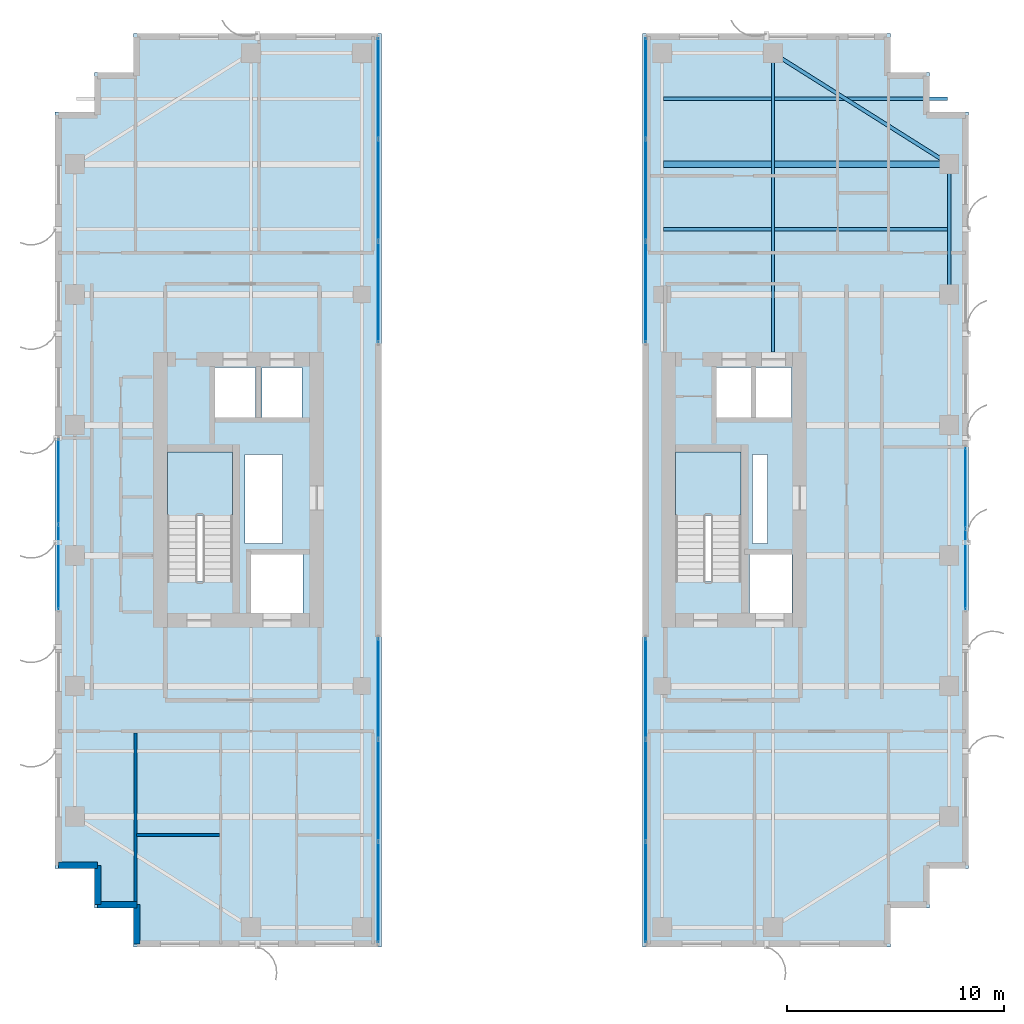
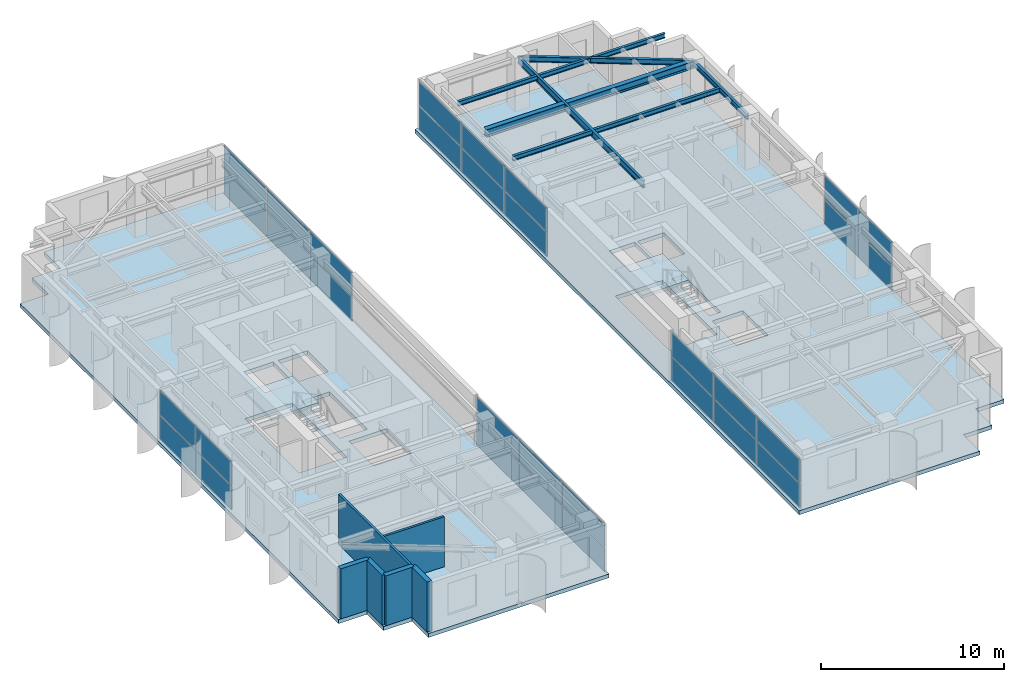
# One storey, part 15 of 22: 32 plates, 6 beams, 6 walls, 4 slabs, 8 elements without a shape of their own.
"""IFC4 building model written with IfcOpenShell, lengths in metres."""

from ifc_helpers import new_model, si_unit, direction, frame, frame_2d, origin, origin_2d, place, context, subcontext, project, spatial, polyline, rectangle, i_section, outline, extrude, source, transform, mapped, material, layer, layer_set, material_profile, profile_set, type_object, element, aggregate, save


model = new_model("IFC4")

# Units and contexts
model_context = context("Model", 3, precision=1e-05, world=origin(), true_north=direction((0.0, 1.0)))
body_context = subcontext(model_context, "Body", "Model", "MODEL_VIEW")
ifc_project = project(units=[si_unit("LENGTHUNIT", "METRE"), si_unit("AREAUNIT", "SQUARE_METRE"), si_unit("VOLUMEUNIT", "CUBIC_METRE"), si_unit("PLANEANGLEUNIT", "RADIAN"), si_unit("MASSUNIT", "GRAM", prefix="KILO")], contexts=[model_context])

# Site, building, storey
site_placement = place(None, origin())
site = spatial("IfcSite", under=ifc_project, at=site_placement, CompositionType="ELEMENT")
building_placement = place(site_placement, origin())
building = spatial("IfcBuilding", under=site, at=building_placement, Name="Khoralis Quay Care Tower", CompositionType="ELEMENT")
storey_placement = place(building_placement, frame((0.0, 0.0, 209.699951171875)))
storey = spatial("IfcBuildingStorey", under=building, at=storey_placement, Name="L55", CompositionType="ELEMENT", Elevation=209.699951171875)

# Beams
ifc_material_1 = material(Name="Steel S355", Category="steel")
ifc_material_profile_1 = material_profile(ifc_material_1, i_section(OverallWidth=0.169921875, OverallDepth=0.360107421875, WebThickness=0.008056640625, FlangeThickness=0.0126953125, FilletRadius=0.01806640625, at=origin_2d()), Name="Steel S355")
ifc_profile_set_1 = profile_set([ifc_material_profile_1], Name="Steel S355")
beam_type_1 = type_object("IfcBeamType", Name="BM-IPE360", PredefinedType="SPANDREL", material=ifc_profile_set_1)
shared_shape_1 = source(origin(), body_context, "Body", "SweptSolid", [
    extrude(i_section(OverallWidth=0.169921875, OverallDepth=0.360107421875, WebThickness=0.008056640625, FlangeThickness=0.0126953125, FilletRadius=0.01806640625, at=origin_2d()), origin(), (0.0, 0.0, 1.0), 6.0),
])
beam_1_placement = place(storey_placement, frame((44.10009765625, 30.0, 3.16015625), z_axis=(0.0, 1.0, 0.0), x_axis=(-1.0, 0.0, 0.0)))
element("IfcBeam", 1, at=beam_1_placement, inside=storey, type_object=beam_type_1, Name="BM-TSP-L55-14", PredefinedType="SPANDREL", context=body_context, shape_type="MappedRepresentation", body=[
    mapped(shared_shape_1, transform((0.0, 0.0, 0.0), scale=1.0)),
])
shared_shape_2 = source(origin(), body_context, "Body", "SweptSolid", [
    extrude(i_section(OverallWidth=0.169921875, OverallDepth=0.360107421875, WebThickness=0.008056640625, FlangeThickness=0.0126953125, FilletRadius=0.01806640625, at=origin_2d()), origin(), (0.0, 0.0, 1.0), 9.572021484375),
])
beam_2_placement = place(storey_placement, frame((36.0, 41.10009765625, 3.16015625), z_axis=(0.846231136359, -0.532815975602, 0.0), x_axis=(0.532815975602, 0.846231136359, 0.0)))
element("IfcBeam", 2, at=beam_2_placement, inside=storey, type_object=beam_type_1, Name="BM-TCR-L55-18", PredefinedType="SPANDREL", context=body_context, shape_type="MappedRepresentation", body=[
    mapped(shared_shape_2, transform((0.0, 0.0, 0.0), scale=1.0)),
])
ifc_material_profile_2 = material_profile(ifc_material_1, i_section(OverallWidth=0.300048828125, OverallDepth=0.5, WebThickness=0.014404296875, FlangeThickness=0.028076171875, FilletRadius=0.027099609375, at=origin_2d()), Name="Steel S355")
ifc_profile_set_2 = profile_set([ifc_material_profile_2], Name="Steel S355")
beam_type_2 = type_object("IfcBeamType", Name="BM-HEB500", PredefinedType="BEAM", material=ifc_profile_set_2)
shared_shape_3 = source(origin(), body_context, "Body", "SweptSolid", [
    extrude(i_section(OverallWidth=0.300048828125, OverallDepth=0.5, WebThickness=0.014404296875, FlangeThickness=0.028076171875, FilletRadius=0.027099609375, at=origin_2d()), origin(), (0.0, 0.0, 1.0), 13.135009765625),
])
beam_3_placement = place(storey_placement, frame((30.965087890625, 36.0, 3.090087890625), z_axis=(1.0, 0.0, 0.0), x_axis=(0.0, 1.0, 0.0)))
element("IfcBeam", 3, at=beam_3_placement, inside=storey, type_object=beam_type_2, Name="BM-TGXE-L55-360", PredefinedType="BEAM", context=body_context, shape_type="MappedRepresentation", body=[
    mapped(shared_shape_3, transform((0.0, 0.0, 0.0), scale=1.0)),
])
ifc_material_profile_3 = material_profile(ifc_material_1, i_section(OverallWidth=0.154052734375, OverallDepth=0.458984375, WebThickness=0.009033203125, FlangeThickness=0.015380859375, FilletRadius=0.014892578125, at=origin_2d()), Name="Steel S355")
ifc_profile_set_3 = profile_set([ifc_material_profile_3], Name="Steel S355")
beam_type_3 = type_object("IfcBeamType", Name="BM-W460X68", PredefinedType="BEAM", material=ifc_profile_set_3)
shared_shape_4 = source(origin(), body_context, "Body", "SweptSolid", [
    extrude(i_section(OverallWidth=0.154052734375, OverallDepth=0.458984375, WebThickness=0.009033203125, FlangeThickness=0.015380859375, FilletRadius=0.014892578125, at=origin_2d()), origin(), (0.0, 0.0, 1.0), 13.752197265625),
])
beam_4_placement = place(storey_placement, frame((36.0, 27.347900390625, 3.110595703125), z_axis=(0.0, 1.0, 0.0), x_axis=(-1.0, 0.0, 0.0)))
element("IfcBeam", 4, at=beam_4_placement, inside=storey, type_object=beam_type_3, Name="BM-TGYN-L55-360", PredefinedType="BEAM", context=body_context, shape_type="MappedRepresentation", body=[
    mapped(shared_shape_4, transform((0.0, 0.0, 0.0), scale=1.0)),
])
ifc_material_profile_4 = material_profile(ifc_material_1, i_section(OverallWidth=0.1650390625, OverallDepth=0.31005859375, WebThickness=0.005859375, FlangeThickness=0.009765625, FilletRadius=0.011962890625, at=origin_2d()), Name="Steel S355")
ifc_profile_set_4 = profile_set([ifc_material_profile_4], Name="Steel S355")
beam_type_4 = type_object("IfcBeamType", Name="BM-W310X39", PredefinedType="JOIST", material=ifc_profile_set_4)
shared_shape_5 = source(origin(), body_context, "Body", "SweptSolid", [
    extrude(i_section(OverallWidth=0.1650390625, OverallDepth=0.31005859375, WebThickness=0.005859375, FlangeThickness=0.009765625, FilletRadius=0.011962890625, at=origin_2d()), origin(), (0.0, 0.0, 1.0), 13.06396484375),
])
for number, where, z_axis, x_axis, name in (
    (5, (30.965087890625, 33.0, 3.18505859375), (1.0, 0.0, 0.0), (0.0, 1.0, 0.0), "BM-TJS-L55-22"),
    (6, (30.965087890625, 39.0, 3.18505859375), (1.0, 0.0, 0.0), (0.0, 1.0, 0.0), "BM-TJS-L55-24"),
):
    element("IfcBeam", number, at=place(storey_placement, frame(where, z_axis=z_axis, x_axis=x_axis)), inside=storey, type_object=beam_type_4, Name=name, PredefinedType="JOIST", context=body_context, shape_type="MappedRepresentation", body=[
        mapped(shared_shape_5, transform((0.0, 0.0, 0.0), scale=1.0)),
    ])

# Stair, slab
ifc_material_2 = material(Name="Precast concrete C45/55", Category="concrete")
stair_type = type_object("IfcStairType", Name="ST-TWR-DOGLEG-1400", PredefinedType="HALF_TURN_STAIR", material=ifc_material_2)
stair_1_placement = place(storey_placement, origin())
stair_1 = element("IfcStair", 7, at=stair_1_placement, inside=storey, type_object=stair_type, Name="L55 West Core Exit Stair ST-T1", PredefinedType="HALF_TURN_STAIR")
ifc_layer_1 = layer(ifc_material_2, 0.199951171875)
ifc_layer_set_1 = layer_set([ifc_layer_1], Name="Precast concrete C45/55")
slab_type_1 = type_object("IfcSlabType", Name="SLB-LANDING-200", PredefinedType="LANDING", material=ifc_layer_set_1)
slab_1_placement = place(storey_placement, frame((0.0, 0.0, 1.60009765625)))
slab_1 = element("IfcSlab", 8, at=slab_1_placement, type_object=slab_type_1, Name="ST-T1 landing 1", PredefinedType="LANDING", context=body_context, shape_type="SweptSolid", body=[
    extrude(outline(polyline([(11.14990234375, 19.840087890625), (11.14990234375, 22.75), (8.14990234375, 22.75), (8.14990234375, 19.840087890625), (11.14990234375, 19.840087890625)])), origin(), (0.0, 0.0, 1.0), 0.199951171875),
])
aggregate(stair_1, [slab_1])

stair_2_placement = place(storey_placement, origin())
stair_2 = element("IfcStair", 9, at=stair_2_placement, inside=storey, type_object=stair_type, Name="L55 East Core Exit Stair ST-T2", PredefinedType="HALF_TURN_STAIR")
slab_2_placement = place(storey_placement, frame((0.0, 0.0, 1.60009765625)))
slab_2 = element("IfcSlab", 10, at=slab_2_placement, type_object=slab_type_1, Name="ST-T2 landing 1", PredefinedType="LANDING", context=body_context, shape_type="SweptSolid", body=[
    extrude(outline(polyline([(34.52001953125, 19.840087890625), (34.52001953125, 22.75), (31.52001953125, 22.75), (31.52001953125, 19.840087890625), (34.52001953125, 19.840087890625)])), origin(), (0.0, 0.0, 1.0), 0.199951171875),
])
aggregate(stair_2, [slab_2])

# Slabs
ifc_material_3 = material(Name="Concrete C40/50", Category="concrete")
ifc_layer_2 = layer(ifc_material_3, 0.260009765625)
ifc_layer_set_2 = layer_set([ifc_layer_2], Name="Concrete C40/50")
slab_type_2 = type_object("IfcSlabType", Name="SLB-TWR-260", PredefinedType="FLOOR", material=ifc_layer_set_2)
slab_3_placement = place(storey_placement, frame((0.0, 0.0, -0.260009765625)))
element("IfcSlab", 11, at=slab_3_placement, inside=storey, type_object=slab_type_2, Name="Tower Wing 1 Slab L55", PredefinedType="FLOOR", context=body_context, shape_type="SweptSolid", body=[
    extrude(outline(polyline([(6.60009765625, 0.0), (18.0, 0.0), (18.0, 42.0), (6.60009765625, 42.0), (6.60009765625, 40.199951171875), (4.800048828125, 40.199951171875), (4.800048828125, 38.39990234375), (3.0, 38.39990234375), (3.0, 3.60009765625), (4.800048828125, 3.60009765625), (4.800048828125, 1.800048828125), (6.60009765625, 1.800048828125), (6.60009765625, 0.0)]), holes=[polyline([(11.14990234375, 16.800048828125), (11.14990234375, 22.75), (8.14990234375, 22.75), (8.14990234375, 16.800048828125), (11.14990234375, 16.800048828125)]), polyline([(12.0, 15.35009765625), (14.39990234375, 15.35009765625), (14.39990234375, 18.050048828125), (12.0, 18.050048828125), (12.0, 15.35009765625)]), polyline([(10.35009765625, 24.35009765625), (12.199951171875, 24.35009765625), (12.199951171875, 26.64990234375), (10.35009765625, 26.64990234375), (10.35009765625, 24.35009765625)]), polyline([(12.5, 24.35009765625), (14.35009765625, 24.35009765625), (14.35009765625, 26.64990234375), (12.5, 26.64990234375), (12.5, 24.35009765625)]), polyline([(11.719970703125, 18.550048828125), (13.449951171875, 18.550048828125), (13.449951171875, 22.64990234375), (11.719970703125, 22.64990234375), (11.719970703125, 18.550048828125)])]), origin(), (0.0, 0.0, 1.0), 0.260009765625),
])
slab_4_placement = place(storey_placement, frame((0.0, 0.0, -0.260009765625)))
element("IfcSlab", 12, at=slab_4_placement, inside=storey, type_object=slab_type_2, Name="Tower Wing 2 Slab L55", PredefinedType="FLOOR", context=body_context, shape_type="SweptSolid", body=[
    extrude(outline(polyline([(30.0, 0.0), (41.39990234375, 0.0), (41.39990234375, 1.800048828125), (43.199951171875, 1.800048828125), (43.199951171875, 3.60009765625), (45.0, 3.60009765625), (45.0, 38.39990234375), (43.199951171875, 38.39990234375), (43.199951171875, 40.199951171875), (41.39990234375, 40.199951171875), (41.39990234375, 42.0), (30.0, 42.0), (30.0, 0.0)]), holes=[polyline([(34.52001953125, 16.800048828125), (34.52001953125, 22.75), (31.52001953125, 22.75), (31.52001953125, 16.800048828125), (34.52001953125, 16.800048828125)]), polyline([(34.919921875, 15.35009765625), (36.8798828125, 15.35009765625), (36.8798828125, 18.050048828125), (34.919921875, 18.050048828125), (34.919921875, 15.35009765625)]), polyline([(33.3798828125, 24.35009765625), (35.030029296875, 24.35009765625), (35.030029296875, 26.64990234375), (33.3798828125, 26.64990234375), (33.3798828125, 24.35009765625)]), polyline([(35.199951171875, 24.35009765625), (36.85009765625, 24.35009765625), (36.85009765625, 26.64990234375), (35.199951171875, 26.64990234375), (35.199951171875, 24.35009765625)]), polyline([(35.050048828125, 18.550048828125), (35.75, 18.550048828125), (35.75, 22.64990234375), (35.050048828125, 22.64990234375), (35.050048828125, 18.550048828125)])]), origin(), (0.0, 0.0, 1.0), 0.260009765625),
])

# Curtain wall, plates
ifc_material_4 = material(Name="Pale anodised aluminium", Category="aluminium")
ifc_layer_3 = layer(ifc_material_4, 0.18994140625)
ifc_layer_set_3 = layer_set([ifc_layer_3], Name="Pale anodised aluminium")
curtain_wall_type_1 = type_object("IfcCurtainWallType", Name="CW-SYS-PORTAL", PredefinedType="NOTDEFINED", material=ifc_layer_set_3)
curtain_wall_1_placement = place(storey_placement, origin())
curtain_wall_1 = element("IfcCurtainWall", 13, at=curtain_wall_1_placement, inside=storey, type_object=curtain_wall_type_1, Name="L55 Unitised Curtain Wall CW-VP-L55-P1-S", PredefinedType="NOTDEFINED")
ifc_material_5 = material(Name="Low-E solar-control double glazing", Category="glass")
ifc_layer_4 = layer(ifc_material_5, 0.031982421875)
ifc_layer_set_4 = layer_set([ifc_layer_4], Name="Low-E solar-control double glazing")
plate_type = type_object("IfcPlateType", Name="PNL-VIS-32", PredefinedType="CURTAIN_PANEL", material=ifc_layer_set_4)
shared_shape_6 = source(origin(), body_context, "Body", "SweptSolid", [
    extrude(rectangle(XDim=4.610107421875, YDim=0.028076171875, at=origin_2d()), origin(), (0.0, 0.0, 1.0), 1.580078125),
])
plate_1_placement = place(storey_placement, frame((17.85009765625, 2.514892578125, 0.06005859375), z_axis=(0.0, 0.0, 1.0), x_axis=(0.0, 1.0, 0.0)))
plate_1 = element("IfcPlate", 14, at=plate_1_placement, type_object=plate_type, Name="CW4 panel 1.1", PredefinedType="CURTAIN_PANEL", context=body_context, shape_type="MappedRepresentation", body=[
    mapped(shared_shape_6, transform((0.0, 0.0, 0.0), scale=1.0)),
])
plate_2_placement = place(storey_placement, frame((17.85009765625, 2.514892578125, 1.699951171875), z_axis=(0.0, 0.0, 1.0), x_axis=(0.0, 1.0, 0.0)))
plate_2 = element("IfcPlate", 15, at=plate_2_placement, type_object=plate_type, Name="CW4 panel 1.2", PredefinedType="CURTAIN_PANEL", context=body_context, shape_type="MappedRepresentation", body=[
    mapped(shared_shape_6, transform((0.0, 0.0, 0.0), scale=1.0)),
])
plate_3_placement = place(storey_placement, frame((17.85009765625, 11.885009765625, 0.06005859375), z_axis=(0.0, 0.0, 1.0), x_axis=(0.0, 1.0, 0.0)))
plate_3 = element("IfcPlate", 16, at=plate_3_placement, type_object=plate_type, Name="CW4 panel 3.1", PredefinedType="CURTAIN_PANEL", context=body_context, shape_type="MappedRepresentation", body=[
    mapped(shared_shape_6, transform((0.0, 0.0, 0.0), scale=1.0)),
])
plate_4_placement = place(storey_placement, frame((17.85009765625, 11.885009765625, 1.699951171875), z_axis=(0.0, 0.0, 1.0), x_axis=(0.0, 1.0, 0.0)))
plate_4 = element("IfcPlate", 17, at=plate_4_placement, type_object=plate_type, Name="CW4 panel 3.2", PredefinedType="CURTAIN_PANEL", context=body_context, shape_type="MappedRepresentation", body=[
    mapped(shared_shape_6, transform((0.0, 0.0, 0.0), scale=1.0)),
])

curtain_wall_2_placement = place(storey_placement, origin())
curtain_wall_2 = element("IfcCurtainWall", 18, at=curtain_wall_2_placement, inside=storey, type_object=curtain_wall_type_1, Name="L55 Unitised Curtain Wall CW-VP-L55-P1-N", PredefinedType="NOTDEFINED")
plate_5_placement = place(storey_placement, frame((17.85009765625, 30.114990234375, 0.06005859375), z_axis=(0.0, 0.0, 1.0), x_axis=(0.0, 1.0, 0.0)))
plate_5 = element("IfcPlate", 19, at=plate_5_placement, type_object=plate_type, Name="CW4 panel 1.1", PredefinedType="CURTAIN_PANEL", context=body_context, shape_type="MappedRepresentation", body=[
    mapped(shared_shape_6, transform((0.0, 0.0, 0.0), scale=1.0)),
])
plate_6_placement = place(storey_placement, frame((17.85009765625, 30.114990234375, 1.699951171875), z_axis=(0.0, 0.0, 1.0), x_axis=(0.0, 1.0, 0.0)))
plate_6 = element("IfcPlate", 20, at=plate_6_placement, type_object=plate_type, Name="CW4 panel 1.2", PredefinedType="CURTAIN_PANEL", context=body_context, shape_type="MappedRepresentation", body=[
    mapped(shared_shape_6, transform((0.0, 0.0, 0.0), scale=1.0)),
])
plate_7_placement = place(storey_placement, frame((17.85009765625, 39.485107421875, 0.06005859375), z_axis=(0.0, 0.0, 1.0), x_axis=(0.0, 1.0, 0.0)))
plate_7 = element("IfcPlate", 21, at=plate_7_placement, type_object=plate_type, Name="CW4 panel 3.1", PredefinedType="CURTAIN_PANEL", context=body_context, shape_type="MappedRepresentation", body=[
    mapped(shared_shape_6, transform((0.0, 0.0, 0.0), scale=1.0)),
])
plate_8_placement = place(storey_placement, frame((17.85009765625, 39.485107421875, 1.699951171875), z_axis=(0.0, 0.0, 1.0), x_axis=(0.0, 1.0, 0.0)))
plate_8 = element("IfcPlate", 22, at=plate_8_placement, type_object=plate_type, Name="CW4 panel 3.2", PredefinedType="CURTAIN_PANEL", context=body_context, shape_type="MappedRepresentation", body=[
    mapped(shared_shape_6, transform((0.0, 0.0, 0.0), scale=1.0)),
])

curtain_wall_3_placement = place(storey_placement, origin())
curtain_wall_3 = element("IfcCurtainWall", 23, at=curtain_wall_3_placement, inside=storey, type_object=curtain_wall_type_1, Name="L55 Unitised Curtain Wall CW-VP-L55-P2-S", PredefinedType="NOTDEFINED")
plate_9_placement = place(storey_placement, frame((30.14990234375, 2.514892578125, 0.06005859375), z_axis=(0.0, 0.0, 1.0), x_axis=(0.0, 1.0, 0.0)))
plate_9 = element("IfcPlate", 24, at=plate_9_placement, type_object=plate_type, Name="CW4 panel 1.1", PredefinedType="CURTAIN_PANEL", context=body_context, shape_type="MappedRepresentation", body=[
    mapped(shared_shape_6, transform((0.0, 0.0, 0.0), scale=1.0)),
])
plate_10_placement = place(storey_placement, frame((30.14990234375, 2.514892578125, 1.699951171875), z_axis=(0.0, 0.0, 1.0), x_axis=(0.0, 1.0, 0.0)))
plate_10 = element("IfcPlate", 25, at=plate_10_placement, type_object=plate_type, Name="CW4 panel 1.2", PredefinedType="CURTAIN_PANEL", context=body_context, shape_type="MappedRepresentation", body=[
    mapped(shared_shape_6, transform((0.0, 0.0, 0.0), scale=1.0)),
])
plate_11_placement = place(storey_placement, frame((30.14990234375, 11.885009765625, 0.06005859375), z_axis=(0.0, 0.0, 1.0), x_axis=(0.0, 1.0, 0.0)))
plate_11 = element("IfcPlate", 26, at=plate_11_placement, type_object=plate_type, Name="CW4 panel 3.1", PredefinedType="CURTAIN_PANEL", context=body_context, shape_type="MappedRepresentation", body=[
    mapped(shared_shape_6, transform((0.0, 0.0, 0.0), scale=1.0)),
])
plate_12_placement = place(storey_placement, frame((30.14990234375, 11.885009765625, 1.699951171875), z_axis=(0.0, 0.0, 1.0), x_axis=(0.0, 1.0, 0.0)))
plate_12 = element("IfcPlate", 27, at=plate_12_placement, type_object=plate_type, Name="CW4 panel 3.2", PredefinedType="CURTAIN_PANEL", context=body_context, shape_type="MappedRepresentation", body=[
    mapped(shared_shape_6, transform((0.0, 0.0, 0.0), scale=1.0)),
])

curtain_wall_4_placement = place(storey_placement, origin())
curtain_wall_4 = element("IfcCurtainWall", 28, at=curtain_wall_4_placement, inside=storey, type_object=curtain_wall_type_1, Name="L55 Unitised Curtain Wall CW-VP-L55-P2-N", PredefinedType="NOTDEFINED")
plate_13_placement = place(storey_placement, frame((30.14990234375, 30.114990234375, 0.06005859375), z_axis=(0.0, 0.0, 1.0), x_axis=(0.0, 1.0, 0.0)))
plate_13 = element("IfcPlate", 29, at=plate_13_placement, type_object=plate_type, Name="CW4 panel 1.1", PredefinedType="CURTAIN_PANEL", context=body_context, shape_type="MappedRepresentation", body=[
    mapped(shared_shape_6, transform((0.0, 0.0, 0.0), scale=1.0)),
])
plate_14_placement = place(storey_placement, frame((30.14990234375, 30.114990234375, 1.699951171875), z_axis=(0.0, 0.0, 1.0), x_axis=(0.0, 1.0, 0.0)))
plate_14 = element("IfcPlate", 30, at=plate_14_placement, type_object=plate_type, Name="CW4 panel 1.2", PredefinedType="CURTAIN_PANEL", context=body_context, shape_type="MappedRepresentation", body=[
    mapped(shared_shape_6, transform((0.0, 0.0, 0.0), scale=1.0)),
])
plate_15_placement = place(storey_placement, frame((30.14990234375, 39.485107421875, 0.06005859375), z_axis=(0.0, 0.0, 1.0), x_axis=(0.0, 1.0, 0.0)))
plate_15 = element("IfcPlate", 31, at=plate_15_placement, type_object=plate_type, Name="CW4 panel 3.1", PredefinedType="CURTAIN_PANEL", context=body_context, shape_type="MappedRepresentation", body=[
    mapped(shared_shape_6, transform((0.0, 0.0, 0.0), scale=1.0)),
])
plate_16_placement = place(storey_placement, frame((30.14990234375, 39.485107421875, 1.699951171875), z_axis=(0.0, 0.0, 1.0), x_axis=(0.0, 1.0, 0.0)))
plate_16 = element("IfcPlate", 32, at=plate_16_placement, type_object=plate_type, Name="CW4 panel 3.2", PredefinedType="CURTAIN_PANEL", context=body_context, shape_type="MappedRepresentation", body=[
    mapped(shared_shape_6, transform((0.0, 0.0, 0.0), scale=1.0)),
])

# Plate
shared_shape_7 = source(origin(), body_context, "Body", "SweptSolid", [
    extrude(rectangle(XDim=4.639892578125, YDim=0.028076171875, at=origin_2d()), origin(), (0.0, 0.0, 1.0), 1.580078125),
])
plate_17_placement = place(storey_placement, frame((17.85009765625, 7.199951171875, 0.06005859375), z_axis=(0.0, 0.0, 1.0), x_axis=(0.0, 1.0, 0.0)))
plate_17 = element("IfcPlate", 33, at=plate_17_placement, type_object=plate_type, Name="CW4 panel 2.1", PredefinedType="CURTAIN_PANEL", context=body_context, shape_type="MappedRepresentation", body=[
    mapped(shared_shape_7, transform((0.0, 0.0, 0.0), scale=1.0)),
])

plate_18_placement = place(storey_placement, frame((17.85009765625, 7.199951171875, 1.699951171875), z_axis=(0.0, 0.0, 1.0), x_axis=(0.0, 1.0, 0.0)))
plate_18 = element("IfcPlate", 34, at=plate_18_placement, type_object=plate_type, Name="CW4 panel 2.2", PredefinedType="CURTAIN_PANEL", context=body_context, shape_type="MappedRepresentation", body=[
    mapped(shared_shape_7, transform((0.0, 0.0, 0.0), scale=1.0)),
])

aggregate(curtain_wall_1, [plate_1, plate_2, plate_17, plate_18, plate_3, plate_4])

plate_19_placement = place(storey_placement, frame((17.85009765625, 34.800048828125, 0.06005859375), z_axis=(0.0, 0.0, 1.0), x_axis=(0.0, 1.0, 0.0)))
plate_19 = element("IfcPlate", 35, at=plate_19_placement, type_object=plate_type, Name="CW4 panel 2.1", PredefinedType="CURTAIN_PANEL", context=body_context, shape_type="MappedRepresentation", body=[
    mapped(shared_shape_7, transform((0.0, 0.0, 0.0), scale=1.0)),
])

plate_20_placement = place(storey_placement, frame((17.85009765625, 34.800048828125, 1.699951171875), z_axis=(0.0, 0.0, 1.0), x_axis=(0.0, 1.0, 0.0)))
plate_20 = element("IfcPlate", 36, at=plate_20_placement, type_object=plate_type, Name="CW4 panel 2.2", PredefinedType="CURTAIN_PANEL", context=body_context, shape_type="MappedRepresentation", body=[
    mapped(shared_shape_7, transform((0.0, 0.0, 0.0), scale=1.0)),
])

aggregate(curtain_wall_2, [plate_5, plate_6, plate_19, plate_20, plate_7, plate_8])

plate_21_placement = place(storey_placement, frame((30.14990234375, 7.199951171875, 0.06005859375), z_axis=(0.0, 0.0, 1.0), x_axis=(0.0, 1.0, 0.0)))
plate_21 = element("IfcPlate", 37, at=plate_21_placement, type_object=plate_type, Name="CW4 panel 2.1", PredefinedType="CURTAIN_PANEL", context=body_context, shape_type="MappedRepresentation", body=[
    mapped(shared_shape_7, transform((0.0, 0.0, 0.0), scale=1.0)),
])

plate_22_placement = place(storey_placement, frame((30.14990234375, 7.199951171875, 1.699951171875), z_axis=(0.0, 0.0, 1.0), x_axis=(0.0, 1.0, 0.0)))
plate_22 = element("IfcPlate", 38, at=plate_22_placement, type_object=plate_type, Name="CW4 panel 2.2", PredefinedType="CURTAIN_PANEL", context=body_context, shape_type="MappedRepresentation", body=[
    mapped(shared_shape_7, transform((0.0, 0.0, 0.0), scale=1.0)),
])

aggregate(curtain_wall_3, [plate_9, plate_10, plate_21, plate_22, plate_11, plate_12])

plate_23_placement = place(storey_placement, frame((30.14990234375, 34.800048828125, 0.06005859375), z_axis=(0.0, 0.0, 1.0), x_axis=(0.0, 1.0, 0.0)))
plate_23 = element("IfcPlate", 39, at=plate_23_placement, type_object=plate_type, Name="CW4 panel 2.1", PredefinedType="CURTAIN_PANEL", context=body_context, shape_type="MappedRepresentation", body=[
    mapped(shared_shape_7, transform((0.0, 0.0, 0.0), scale=1.0)),
])

plate_24_placement = place(storey_placement, frame((30.14990234375, 34.800048828125, 1.699951171875), z_axis=(0.0, 0.0, 1.0), x_axis=(0.0, 1.0, 0.0)))
plate_24 = element("IfcPlate", 40, at=plate_24_placement, type_object=plate_type, Name="CW4 panel 2.2", PredefinedType="CURTAIN_PANEL", context=body_context, shape_type="MappedRepresentation", body=[
    mapped(shared_shape_7, transform((0.0, 0.0, 0.0), scale=1.0)),
])

aggregate(curtain_wall_4, [plate_13, plate_14, plate_23, plate_24, plate_15, plate_16])

# Curtain wall, plates
ifc_layer_5 = layer(ifc_material_4, 0.159912109375)
ifc_layer_set_5 = layer_set([ifc_layer_5], Name="Pale anodised aluminium")
curtain_wall_type_2 = type_object("IfcCurtainWallType", Name="CW-SYS-Z3", PredefinedType="NOTDEFINED", material=ifc_layer_set_5)
curtain_wall_5_placement = place(storey_placement, origin())
curtain_wall_5 = element("IfcCurtainWall", 41, at=curtain_wall_5_placement, inside=storey, type_object=curtain_wall_type_2, Name="L55 Unitised Curtain Wall CW-L55-P1-E7", PredefinedType="NOTDEFINED")
shared_shape_8 = source(origin(), body_context, "Body", "SweptSolid", [
    extrude(rectangle(XDim=3.8701171875, YDim=0.028076171875, at=origin_2d()), origin(), (0.0, 0.0, 1.0), 1.580078125),
])
plate_25_placement = place(storey_placement, frame((3.14990234375, 21.405029296875, 0.06005859375), z_axis=(0.0, 0.0, 1.0), x_axis=(0.0, -1.0, 0.0)))
plate_25 = element("IfcPlate", 42, at=plate_25_placement, type_object=plate_type, Name="CW3 panel 1.1", PredefinedType="CURTAIN_PANEL", context=body_context, shape_type="MappedRepresentation", body=[
    mapped(shared_shape_8, transform((0.0, 0.0, 0.0), scale=1.0)),
])
plate_26_placement = place(storey_placement, frame((3.14990234375, 21.405029296875, 1.699951171875), z_axis=(0.0, 0.0, 1.0), x_axis=(0.0, -1.0, 0.0)))
plate_26 = element("IfcPlate", 43, at=plate_26_placement, type_object=plate_type, Name="CW3 panel 1.2", PredefinedType="CURTAIN_PANEL", context=body_context, shape_type="MappedRepresentation", body=[
    mapped(shared_shape_8, transform((0.0, 0.0, 0.0), scale=1.0)),
])
plate_27_placement = place(storey_placement, frame((3.14990234375, 17.47509765625, 0.06005859375), z_axis=(0.0, 0.0, 1.0), x_axis=(0.0, -1.0, 0.0)))
plate_27 = element("IfcPlate", 44, at=plate_27_placement, type_object=plate_type, Name="CW3 panel 2.1", PredefinedType="CURTAIN_PANEL", context=body_context, shape_type="MappedRepresentation", body=[
    mapped(shared_shape_8, transform((0.0, 0.0, 0.0), scale=1.0)),
])
plate_28_placement = place(storey_placement, frame((3.14990234375, 17.47509765625, 1.699951171875), z_axis=(0.0, 0.0, 1.0), x_axis=(0.0, -1.0, 0.0)))
plate_28 = element("IfcPlate", 45, at=plate_28_placement, type_object=plate_type, Name="CW3 panel 2.2", PredefinedType="CURTAIN_PANEL", context=body_context, shape_type="MappedRepresentation", body=[
    mapped(shared_shape_8, transform((0.0, 0.0, 0.0), scale=1.0)),
])
aggregate(curtain_wall_5, [plate_25, plate_26, plate_27, plate_28])

curtain_wall_6_placement = place(storey_placement, origin())
curtain_wall_6 = element("IfcCurtainWall", 46, at=curtain_wall_6_placement, inside=storey, type_object=curtain_wall_type_2, Name="L55 Unitised Curtain Wall CW-L55-P2-E5", PredefinedType="NOTDEFINED")
shared_shape_9 = source(origin(), body_context, "Body", "SweptSolid", [
    extrude(rectangle(XDim=3.669921875, YDim=0.028076171875, at=origin_2d()), origin(), (0.0, 0.0, 1.0), 1.580078125),
])
plate_29_placement = place(storey_placement, frame((44.85009765625, 17.375, 0.06005859375), z_axis=(0.0, 0.0, 1.0), x_axis=(0.0, 1.0, 0.0)))
plate_29 = element("IfcPlate", 47, at=plate_29_placement, type_object=plate_type, Name="CW3 panel 1.1", PredefinedType="CURTAIN_PANEL", context=body_context, shape_type="MappedRepresentation", body=[
    mapped(shared_shape_9, transform((0.0, 0.0, 0.0), scale=1.0)),
])
plate_30_placement = place(storey_placement, frame((44.85009765625, 17.375, 1.699951171875), z_axis=(0.0, 0.0, 1.0), x_axis=(0.0, 1.0, 0.0)))
plate_30 = element("IfcPlate", 48, at=plate_30_placement, type_object=plate_type, Name="CW3 panel 1.2", PredefinedType="CURTAIN_PANEL", context=body_context, shape_type="MappedRepresentation", body=[
    mapped(shared_shape_9, transform((0.0, 0.0, 0.0), scale=1.0)),
])
plate_31_placement = place(storey_placement, frame((44.85009765625, 21.10498046875, 0.06005859375), z_axis=(0.0, 0.0, 1.0), x_axis=(0.0, 1.0, 0.0)))
plate_31 = element("IfcPlate", 49, at=plate_31_placement, type_object=plate_type, Name="CW3 panel 2.1", PredefinedType="CURTAIN_PANEL", context=body_context, shape_type="MappedRepresentation", body=[
    mapped(shared_shape_9, transform((0.0, 0.0, 0.0), scale=1.0)),
])
plate_32_placement = place(storey_placement, frame((44.85009765625, 21.10498046875, 1.699951171875), z_axis=(0.0, 0.0, 1.0), x_axis=(0.0, 1.0, 0.0)))
plate_32 = element("IfcPlate", 50, at=plate_32_placement, type_object=plate_type, Name="CW3 panel 2.2", PredefinedType="CURTAIN_PANEL", context=body_context, shape_type="MappedRepresentation", body=[
    mapped(shared_shape_9, transform((0.0, 0.0, 0.0), scale=1.0)),
])
aggregate(curtain_wall_6, [plate_29, plate_30, plate_31, plate_32])

# Walls
ifc_layer_6 = layer(ifc_material_2, 0.300048828125)
ifc_layer_set_6 = layer_set([ifc_layer_6], Name="Precast concrete C45/55")
wall_type_1 = type_object("IfcWallType", Name="WL-EXT-REF-300", PredefinedType="SOLIDWALL", material=ifc_layer_set_6)
for number, where, z_axis, x_axis, name in (
    (51, (3.14990234375, 3.75, 0.0), (0.0, 0.0, 1.0), (1.0, 0.0, 0.0), "L55 External Facade Wall WL-EXT-L55-P1-C8"),
    (52, (4.949951171875, 3.75, 0.0), (0.0, 0.0, 1.0), (0.0, -1.0, 0.0), "L55 External Facade Wall WL-EXT-L55-P1-C9"),
    (53, (4.949951171875, 1.949951171875, 0.0), (0.0, 0.0, 1.0), (1.0, 0.0, 0.0), "L55 External Facade Wall WL-EXT-L55-P1-C10"),
    (54, (6.75, 1.949951171875, 0.0), (0.0, 0.0, 1.0), (0.0, -1.0, 0.0), "L55 External Facade Wall WL-EXT-L55-P1-C11"),
):
    element("IfcWall", number, at=place(storey_placement, frame(where, z_axis=z_axis, x_axis=x_axis)), inside=storey, type_object=wall_type_1, Name=name, PredefinedType="SOLIDWALL", context=body_context, shape_type="SweptSolid", body=[
        extrude(rectangle(XDim=1.800048828125, YDim=0.300048828125, at=frame_2d((0.89990234375, 0.0))), origin(), (0.0, 0.0, 1.0), 3.340087890625),
    ])
ifc_material_6 = material(Name="Moisture-resistant gypsum and ceramic tile")
ifc_layer_7 = layer(ifc_material_6, 0.280029296875)
ifc_layer_set_7 = layer_set([ifc_layer_7], Name="Moisture-resistant gypsum and ceramic tile")
wall_type_2 = type_object("IfcWallType", Name="WL-PLUMB-280", PredefinedType="PLUMBINGWALL", material=ifc_layer_set_7)
wall_1_placement = place(storey_placement, frame((6.7451171875, 5.157958984375, 0.0), z_axis=(0.0, 0.0, 1.0), x_axis=(1.0, 0.0, 0.0)))
element("IfcWall", 55, at=wall_1_placement, inside=storey, type_object=wall_type_2, Name="L55 2BR 0 Left Split", PredefinedType="PLUMBINGWALL", context=body_context, shape_type="SweptSolid", body=[
    extrude(rectangle(XDim=3.8134765625, YDim=0.139892578125, at=frame_2d((1.90673828125, 0.0))), origin(), (0.0, 0.0, 1.0), 3.340087890625),
])
ifc_material_7 = material(Name="Gypsum plasterboard on acoustic metal stud")
ifc_layer_8 = layer(ifc_material_7, 0.139892578125)
ifc_layer_set_8 = layer_set([ifc_layer_8], Name="Gypsum plasterboard on acoustic metal stud")
wall_type_3 = type_object("IfcWallType", Name="WL-UNIT-140", PredefinedType="PARTITIONING", material=ifc_layer_set_8)
wall_2_placement = place(storey_placement, frame((6.679931640625, 1.945068359375, 0.0), z_axis=(0.0, 0.0, 1.0), x_axis=(0.0, 1.0, 0.0)))
element("IfcWall", 56, at=wall_2_placement, inside=storey, type_object=wall_type_3, Name="L55 WS Demising Wall 0", PredefinedType="PARTITIONING", context=body_context, shape_type="SweptSolid", body=[
    extrude(rectangle(XDim=7.8974609375, YDim=0.139892578125, at=frame_2d((3.94873046875, 0.0))), origin(), (0.0, 0.0, 1.0), 3.340087890625),
])

save(model, "model.ifc")
